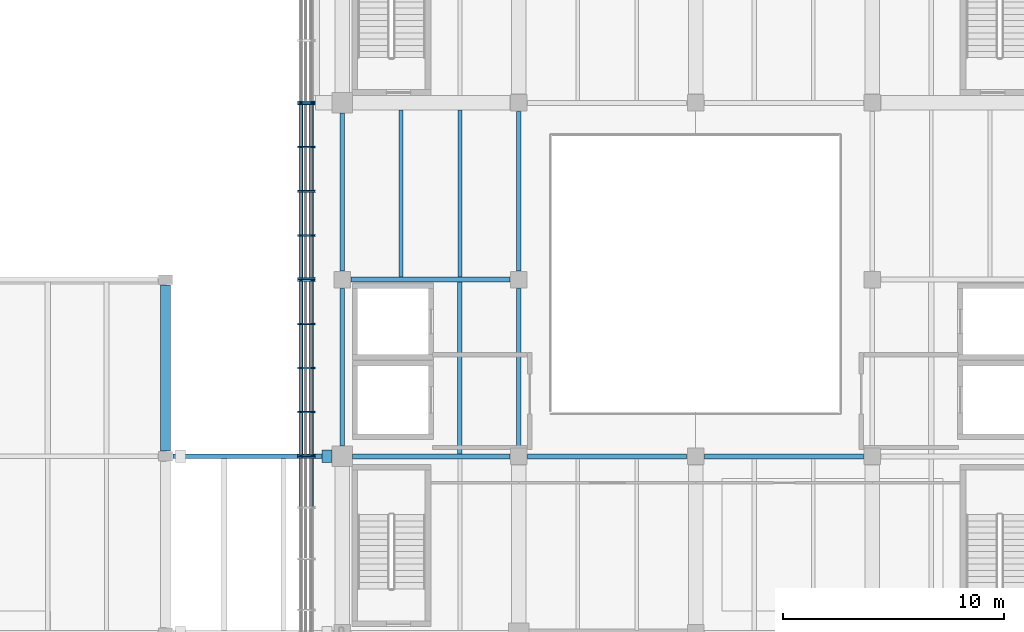
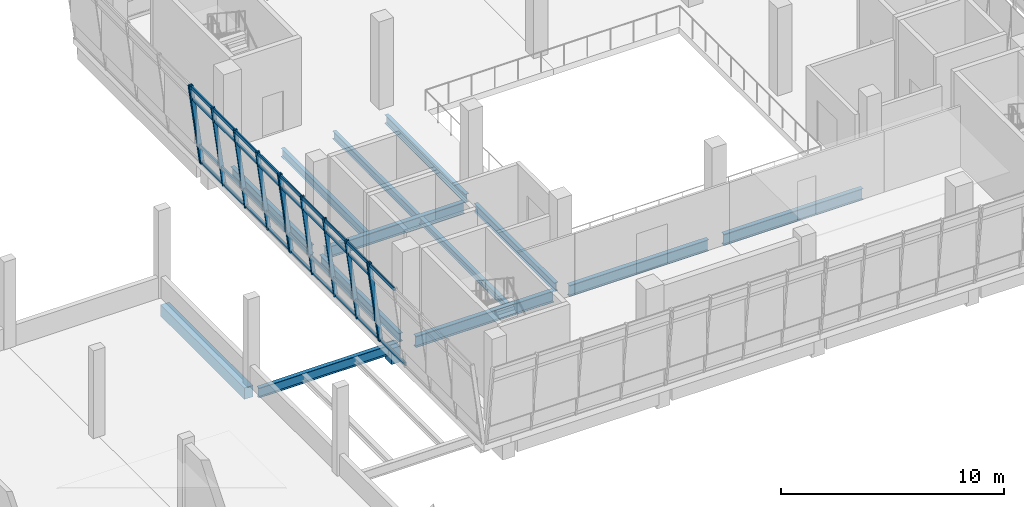
# One storey, part 13 of 52: 46 members, 14 beams, 4 elements without a shape of their own.
"""IFC4 building model written with IfcOpenShell, lengths in metres."""

from ifc_helpers import new_model, si_unit, direction, frame, origin, origin_2d, place, context, subcontext, project, spatial, rectangle, i_section, extrude, material, material_profile, profile_set, type_object, element, aggregate, save


model = new_model("IFC4")

# Units and contexts
model_context = context("Model", 3, precision=1e-05, world=origin(), true_north=direction((0.0, 1.0)))
body_context = subcontext(model_context, "Body", "Model", "MODEL_VIEW")
ifc_project = project(units=[si_unit("LENGTHUNIT", "METRE"), si_unit("AREAUNIT", "SQUARE_METRE"), si_unit("VOLUMEUNIT", "CUBIC_METRE"), si_unit("PLANEANGLEUNIT", "RADIAN"), si_unit("MASSUNIT", "GRAM", prefix="KILO")], contexts=[model_context])

# Site, building, storey
site_placement = place(None, origin())
site = spatial("IfcSite", under=ifc_project, at=site_placement, CompositionType="ELEMENT")
building_placement = place(site_placement, origin())
building = spatial("IfcBuilding", under=site, at=building_placement, Name="Pecanmere Concourse Central Library", CompositionType="ELEMENT")
storey_placement = place(building_placement, frame((0.0, 0.0, 10.5)))
storey = spatial("IfcBuildingStorey", under=building, at=storey_placement, Name="L03", CompositionType="ELEMENT", Elevation=10.5)

# Curtain wall, member
ifc_material_1 = material(Name="Anodized bronze aluminium alloy 6063-T6", Category="aluminium")
curtain_wall_type = type_object("IfcCurtainWallType", Name="CW_LEAN_BANDED", PredefinedType="USERDEFINED", material=ifc_material_1)
curtain_wall_1_placement = place(storey_placement, origin())
curtain_wall_1 = element("IfcCurtainWall", 1, at=curtain_wall_1_placement, inside=storey, type_object=curtain_wall_type, Name="Unitised Curtain Wall CW-01 L03-034", ObjectType="UNITISED CURTAIN WALL", PredefinedType="USERDEFINED")
ifc_material_2 = material(Name="Anodized bronze aluminium alloy 6063-T6", Category="aluminium")
ifc_material_profile_1 = material_profile(ifc_material_2, rectangle(XDim=0.074951171875, YDim=0.199951171875, at=origin_2d()), Name="AL 75x200")
ifc_profile_set_1 = profile_set([ifc_material_profile_1], Name="Anodized bronze aluminium alloy 6063-T6")
member_type_1 = type_object("IfcMemberType", Name="CWM_200x75", PredefinedType="MULLION", material=ifc_profile_set_1)
member_1_placement = place(storey_placement, frame((70.678955078125, 114.04248046875, 0.0), z_axis=(-0.132234484848, 0.0, 0.991218462811), x_axis=(0.0, -1.0, 0.0)))
member_1 = element("IfcMember", 2, at=member_1_placement, type_object=member_type_1, Name="CW-01 Mullion 5", PredefinedType="MULLION", context=body_context, shape_type="SweptSolid", body=[
    extrude(rectangle(XDim=0.074951171875, YDim=0.199951171875, at=origin_2d()), origin(), (0.0, 0.0, 1.0), 4.519775390625),
])
aggregate(curtain_wall_1, [member_1])

# Curtain wall, members
curtain_wall_2_placement = place(storey_placement, origin())
curtain_wall_2 = element("IfcCurtainWall", 3, at=curtain_wall_2_placement, inside=storey, type_object=curtain_wall_type, Name="Unitised Curtain Wall CW-01 L03-035", ObjectType="UNITISED CURTAIN WALL", PredefinedType="USERDEFINED")
member_2_placement = place(storey_placement, frame((70.678955078125, 113.95751953125, 0.0), z_axis=(-0.132234484848, 0.0, 0.991218462811), x_axis=(0.0, -1.0, 0.0)))
member_2 = element("IfcMember", 4, at=member_2_placement, type_object=member_type_1, Name="CW-01 Mullion 1", PredefinedType="MULLION", context=body_context, shape_type="SweptSolid", body=[
    extrude(rectangle(XDim=0.074951171875, YDim=0.199951171875, at=origin_2d()), origin(), (0.0, 0.0, 1.0), 4.519775390625),
])
member_3_placement = place(storey_placement, frame((70.678955078125, 111.99755859375, 0.0), z_axis=(-0.132234484848, 0.0, 0.991218462811), x_axis=(0.0, -1.0, 0.0)))
member_3 = element("IfcMember", 5, at=member_3_placement, type_object=member_type_1, Name="CW-01 Mullion 2", PredefinedType="MULLION", context=body_context, shape_type="SweptSolid", body=[
    extrude(rectangle(XDim=0.074951171875, YDim=0.199951171875, at=origin_2d()), origin(), (0.0, 0.0, 1.0), 4.519775390625),
])
member_4_placement = place(storey_placement, frame((70.678955078125, 110.0, 0.0), z_axis=(-0.132234484848, 0.0, 0.991218462811), x_axis=(0.0, -1.0, 0.0)))
member_4 = element("IfcMember", 6, at=member_4_placement, type_object=member_type_1, Name="CW-01 Mullion 3", PredefinedType="MULLION", context=body_context, shape_type="SweptSolid", body=[
    extrude(rectangle(XDim=0.074951171875, YDim=0.199951171875, at=origin_2d()), origin(), (0.0, 0.0, 1.0), 4.519775390625),
])
member_5_placement = place(storey_placement, frame((70.678955078125, 108.00244140625, 0.0), z_axis=(-0.132234484848, 0.0, 0.991218462811), x_axis=(0.0, -1.0, 0.0)))
member_5 = element("IfcMember", 7, at=member_5_placement, type_object=member_type_1, Name="CW-01 Mullion 4", PredefinedType="MULLION", context=body_context, shape_type="SweptSolid", body=[
    extrude(rectangle(XDim=0.074951171875, YDim=0.199951171875, at=origin_2d()), origin(), (0.0, 0.0, 1.0), 4.519775390625),
])
member_6_placement = place(storey_placement, frame((70.678955078125, 106.04248046875, 0.0), z_axis=(-0.132234484848, 0.0, 0.991218462811), x_axis=(0.0, -1.0, 0.0)))
member_6 = element("IfcMember", 8, at=member_6_placement, type_object=member_type_1, Name="CW-01 Mullion 5", PredefinedType="MULLION", context=body_context, shape_type="SweptSolid", body=[
    extrude(rectangle(XDim=0.074951171875, YDim=0.199951171875, at=origin_2d()), origin(), (0.0, 0.0, 1.0), 4.519775390625),
])

curtain_wall_3_placement = place(storey_placement, origin())
curtain_wall_3 = element("IfcCurtainWall", 9, at=curtain_wall_3_placement, inside=storey, type_object=curtain_wall_type, Name="Unitised Curtain Wall CW-01 L03-036", ObjectType="UNITISED CURTAIN WALL", PredefinedType="USERDEFINED")
member_7_placement = place(storey_placement, frame((70.678955078125, 105.95751953125, 0.0), z_axis=(-0.132234484848, 0.0, 0.991218462811), x_axis=(0.0, -1.0, 0.0)))
member_7 = element("IfcMember", 10, at=member_7_placement, type_object=member_type_1, Name="CW-01 Mullion 1", PredefinedType="MULLION", context=body_context, shape_type="SweptSolid", body=[
    extrude(rectangle(XDim=0.074951171875, YDim=0.199951171875, at=origin_2d()), origin(), (0.0, 0.0, 1.0), 4.519775390625),
])
member_8_placement = place(storey_placement, frame((70.678955078125, 103.99755859375, 0.0), z_axis=(-0.132234484848, 0.0, 0.991218462811), x_axis=(0.0, -1.0, 0.0)))
member_8 = element("IfcMember", 11, at=member_8_placement, type_object=member_type_1, Name="CW-01 Mullion 2", PredefinedType="MULLION", context=body_context, shape_type="SweptSolid", body=[
    extrude(rectangle(XDim=0.074951171875, YDim=0.199951171875, at=origin_2d()), origin(), (0.0, 0.0, 1.0), 4.519775390625),
])
member_9_placement = place(storey_placement, frame((70.678955078125, 102.0, 0.0), z_axis=(-0.132234484848, 0.0, 0.991218462811), x_axis=(0.0, -1.0, 0.0)))
member_9 = element("IfcMember", 12, at=member_9_placement, type_object=member_type_1, Name="CW-01 Mullion 3", PredefinedType="MULLION", context=body_context, shape_type="SweptSolid", body=[
    extrude(rectangle(XDim=0.074951171875, YDim=0.199951171875, at=origin_2d()), origin(), (0.0, 0.0, 1.0), 4.519775390625),
])
member_10_placement = place(storey_placement, frame((70.678955078125, 100.00244140625, 0.0), z_axis=(-0.132234484848, 0.0, 0.991218462811), x_axis=(0.0, -1.0, 0.0)))
member_10 = element("IfcMember", 13, at=member_10_placement, type_object=member_type_1, Name="CW-01 Mullion 4", PredefinedType="MULLION", context=body_context, shape_type="SweptSolid", body=[
    extrude(rectangle(XDim=0.074951171875, YDim=0.199951171875, at=origin_2d()), origin(), (0.0, 0.0, 1.0), 4.519775390625),
])
member_11_placement = place(storey_placement, frame((70.678955078125, 98.04248046875, 0.0), z_axis=(-0.132234484848, 0.0, 0.991218462811), x_axis=(0.0, -1.0, 0.0)))
member_11 = element("IfcMember", 14, at=member_11_placement, type_object=member_type_1, Name="CW-01 Mullion 5", PredefinedType="MULLION", context=body_context, shape_type="SweptSolid", body=[
    extrude(rectangle(XDim=0.074951171875, YDim=0.199951171875, at=origin_2d()), origin(), (0.0, 0.0, 1.0), 4.519775390625),
])

# Curtain wall, member
curtain_wall_4_placement = place(storey_placement, origin())
curtain_wall_4 = element("IfcCurtainWall", 15, at=curtain_wall_4_placement, inside=storey, type_object=curtain_wall_type, Name="Unitised Curtain Wall CW-01 L03-037", ObjectType="UNITISED CURTAIN WALL", PredefinedType="USERDEFINED")
member_12_placement = place(storey_placement, frame((70.678955078125, 97.95751953125, 0.0), z_axis=(-0.132234484848, 0.0, 0.991218462811), x_axis=(0.0, -1.0, 0.0)))
member_12 = element("IfcMember", 16, at=member_12_placement, type_object=member_type_1, Name="CW-01 Mullion 1", PredefinedType="MULLION", context=body_context, shape_type="SweptSolid", body=[
    extrude(rectangle(XDim=0.074951171875, YDim=0.199951171875, at=origin_2d()), origin(), (0.0, 0.0, 1.0), 4.519775390625),
])

# Member
ifc_material_3 = material(Name="Anodized bronze aluminium alloy 6063-T6", Category="aluminium")
ifc_material_profile_2 = material_profile(ifc_material_3, rectangle(XDim=0.06494140625, YDim=0.179931640625, at=origin_2d()), Name="AL 65x180")
ifc_profile_set_2 = profile_set([ifc_material_profile_2], Name="Anodized bronze aluminium alloy 6063-T6")
member_type_2 = type_object("IfcMemberType", Name="CWT_180x65", PredefinedType="USERDEFINED", material=ifc_profile_set_2)
member_13_placement = place(storey_placement, frame((70.6669921875, 113.919921875, 0.090087890625), z_axis=(0.0, -1.0, 0.0), x_axis=(1.0, 0.0, 0.0)))
member_13 = element("IfcMember", 17, at=member_13_placement, type_object=member_type_2, Name="CW-01 Transom 1.1", ObjectType="TRANSOM", PredefinedType="USERDEFINED", context=body_context, shape_type="SweptSolid", body=[
    extrude(rectangle(XDim=0.06494140625, YDim=0.179931640625, at=origin_2d()), origin(), (0.0, 0.0, 1.0), 1.885009765625),
])

member_14_placement = place(storey_placement, frame((70.538818359375, 113.919921875, 1.050048828125), z_axis=(0.0, -1.0, 0.0), x_axis=(1.0, 0.0, 0.0)))
member_14 = element("IfcMember", 18, at=member_14_placement, type_object=member_type_2, Name="CW-01 Transom 1.2", ObjectType="TRANSOM", PredefinedType="USERDEFINED", context=body_context, shape_type="SweptSolid", body=[
    extrude(rectangle(XDim=0.06494140625, YDim=0.179931640625, at=origin_2d()), origin(), (0.0, 0.0, 1.0), 1.885009765625),
])

member_15_placement = place(storey_placement, frame((70.181396484375, 113.919921875, 3.72998046875), z_axis=(0.0, -1.0, 0.0), x_axis=(1.0, 0.0, 0.0)))
member_15 = element("IfcMember", 19, at=member_15_placement, type_object=member_type_2, Name="CW-01 Transom 1.3", ObjectType="TRANSOM", PredefinedType="USERDEFINED", context=body_context, shape_type="SweptSolid", body=[
    extrude(rectangle(XDim=0.06494140625, YDim=0.179931640625, at=origin_2d()), origin(), (0.0, 0.0, 1.0), 1.885009765625),
])

member_16_placement = place(storey_placement, frame((70.09326171875, 113.919921875, 4.389892578125), z_axis=(0.0, -1.0, 0.0), x_axis=(1.0, 0.0, 0.0)))
member_16 = element("IfcMember", 20, at=member_16_placement, type_object=member_type_2, Name="CW-01 Transom 1.4", ObjectType="TRANSOM", PredefinedType="USERDEFINED", context=body_context, shape_type="SweptSolid", body=[
    extrude(rectangle(XDim=0.06494140625, YDim=0.179931640625, at=origin_2d()), origin(), (0.0, 0.0, 1.0), 1.885009765625),
])

member_17_placement = place(storey_placement, frame((70.6669921875, 111.9599609375, 0.090087890625), z_axis=(0.0, -1.0, 0.0), x_axis=(1.0, 0.0, 0.0)))
member_17 = element("IfcMember", 21, at=member_17_placement, type_object=member_type_2, Name="CW-01 Transom 2.1", ObjectType="TRANSOM", PredefinedType="USERDEFINED", context=body_context, shape_type="SweptSolid", body=[
    extrude(rectangle(XDim=0.06494140625, YDim=0.179931640625, at=origin_2d()), origin(), (0.0, 0.0, 1.0), 1.92236328125),
])

member_18_placement = place(storey_placement, frame((70.538818359375, 111.9599609375, 1.050048828125), z_axis=(0.0, -1.0, 0.0), x_axis=(1.0, 0.0, 0.0)))
member_18 = element("IfcMember", 22, at=member_18_placement, type_object=member_type_2, Name="CW-01 Transom 2.2", ObjectType="TRANSOM", PredefinedType="USERDEFINED", context=body_context, shape_type="SweptSolid", body=[
    extrude(rectangle(XDim=0.06494140625, YDim=0.179931640625, at=origin_2d()), origin(), (0.0, 0.0, 1.0), 1.92236328125),
])

member_19_placement = place(storey_placement, frame((70.181396484375, 111.9599609375, 3.72998046875), z_axis=(0.0, -1.0, 0.0), x_axis=(1.0, 0.0, 0.0)))
member_19 = element("IfcMember", 23, at=member_19_placement, type_object=member_type_2, Name="CW-01 Transom 2.3", ObjectType="TRANSOM", PredefinedType="USERDEFINED", context=body_context, shape_type="SweptSolid", body=[
    extrude(rectangle(XDim=0.06494140625, YDim=0.179931640625, at=origin_2d()), origin(), (0.0, 0.0, 1.0), 1.92236328125),
])

member_20_placement = place(storey_placement, frame((70.09326171875, 111.9599609375, 4.389892578125), z_axis=(0.0, -1.0, 0.0), x_axis=(1.0, 0.0, 0.0)))
member_20 = element("IfcMember", 24, at=member_20_placement, type_object=member_type_2, Name="CW-01 Transom 2.4", ObjectType="TRANSOM", PredefinedType="USERDEFINED", context=body_context, shape_type="SweptSolid", body=[
    extrude(rectangle(XDim=0.06494140625, YDim=0.179931640625, at=origin_2d()), origin(), (0.0, 0.0, 1.0), 1.92236328125),
])

member_21_placement = place(storey_placement, frame((70.6669921875, 109.96240234375, 0.090087890625), z_axis=(0.0, -1.0, 0.0), x_axis=(1.0, 0.0, 0.0)))
member_21 = element("IfcMember", 25, at=member_21_placement, type_object=member_type_2, Name="CW-01 Transom 3.1", ObjectType="TRANSOM", PredefinedType="USERDEFINED", context=body_context, shape_type="SweptSolid", body=[
    extrude(rectangle(XDim=0.06494140625, YDim=0.179931640625, at=origin_2d()), origin(), (0.0, 0.0, 1.0), 1.92236328125),
])

member_22_placement = place(storey_placement, frame((70.538818359375, 109.96240234375, 1.050048828125), z_axis=(0.0, -1.0, 0.0), x_axis=(1.0, 0.0, 0.0)))
member_22 = element("IfcMember", 26, at=member_22_placement, type_object=member_type_2, Name="CW-01 Transom 3.2", ObjectType="TRANSOM", PredefinedType="USERDEFINED", context=body_context, shape_type="SweptSolid", body=[
    extrude(rectangle(XDim=0.06494140625, YDim=0.179931640625, at=origin_2d()), origin(), (0.0, 0.0, 1.0), 1.92236328125),
])

member_23_placement = place(storey_placement, frame((70.181396484375, 109.96240234375, 3.72998046875), z_axis=(0.0, -1.0, 0.0), x_axis=(1.0, 0.0, 0.0)))
member_23 = element("IfcMember", 27, at=member_23_placement, type_object=member_type_2, Name="CW-01 Transom 3.3", ObjectType="TRANSOM", PredefinedType="USERDEFINED", context=body_context, shape_type="SweptSolid", body=[
    extrude(rectangle(XDim=0.06494140625, YDim=0.179931640625, at=origin_2d()), origin(), (0.0, 0.0, 1.0), 1.92236328125),
])

member_24_placement = place(storey_placement, frame((70.09326171875, 109.96240234375, 4.389892578125), z_axis=(0.0, -1.0, 0.0), x_axis=(1.0, 0.0, 0.0)))
member_24 = element("IfcMember", 28, at=member_24_placement, type_object=member_type_2, Name="CW-01 Transom 3.4", ObjectType="TRANSOM", PredefinedType="USERDEFINED", context=body_context, shape_type="SweptSolid", body=[
    extrude(rectangle(XDim=0.06494140625, YDim=0.179931640625, at=origin_2d()), origin(), (0.0, 0.0, 1.0), 1.92236328125),
])

member_25_placement = place(storey_placement, frame((70.6669921875, 107.965087890625, 0.090087890625), z_axis=(0.0, -1.0, 0.0), x_axis=(1.0, 0.0, 0.0)))
member_25 = element("IfcMember", 29, at=member_25_placement, type_object=member_type_2, Name="CW-01 Transom 4.1", ObjectType="TRANSOM", PredefinedType="USERDEFINED", context=body_context, shape_type="SweptSolid", body=[
    extrude(rectangle(XDim=0.06494140625, YDim=0.179931640625, at=origin_2d()), origin(), (0.0, 0.0, 1.0), 1.885009765625),
])

member_26_placement = place(storey_placement, frame((70.538818359375, 107.965087890625, 1.050048828125), z_axis=(0.0, -1.0, 0.0), x_axis=(1.0, 0.0, 0.0)))
member_26 = element("IfcMember", 30, at=member_26_placement, type_object=member_type_2, Name="CW-01 Transom 4.2", ObjectType="TRANSOM", PredefinedType="USERDEFINED", context=body_context, shape_type="SweptSolid", body=[
    extrude(rectangle(XDim=0.06494140625, YDim=0.179931640625, at=origin_2d()), origin(), (0.0, 0.0, 1.0), 1.885009765625),
])

member_27_placement = place(storey_placement, frame((70.181396484375, 107.965087890625, 3.72998046875), z_axis=(0.0, -1.0, 0.0), x_axis=(1.0, 0.0, 0.0)))
member_27 = element("IfcMember", 31, at=member_27_placement, type_object=member_type_2, Name="CW-01 Transom 4.3", ObjectType="TRANSOM", PredefinedType="USERDEFINED", context=body_context, shape_type="SweptSolid", body=[
    extrude(rectangle(XDim=0.06494140625, YDim=0.179931640625, at=origin_2d()), origin(), (0.0, 0.0, 1.0), 1.885009765625),
])

member_28_placement = place(storey_placement, frame((70.09326171875, 107.965087890625, 4.389892578125), z_axis=(0.0, -1.0, 0.0), x_axis=(1.0, 0.0, 0.0)))
member_28 = element("IfcMember", 32, at=member_28_placement, type_object=member_type_2, Name="CW-01 Transom 4.4", ObjectType="TRANSOM", PredefinedType="USERDEFINED", context=body_context, shape_type="SweptSolid", body=[
    extrude(rectangle(XDim=0.06494140625, YDim=0.179931640625, at=origin_2d()), origin(), (0.0, 0.0, 1.0), 1.885009765625),
])

aggregate(curtain_wall_2, [member_2, member_3, member_4, member_5, member_6, member_13, member_14, member_15, member_16, member_17, member_18, member_19, member_20, member_21, member_22, member_23, member_24, member_25, member_26, member_27, member_28])

member_29_placement = place(storey_placement, frame((70.6669921875, 105.919921875, 0.090087890625), z_axis=(0.0, -1.0, 0.0), x_axis=(1.0, 0.0, 0.0)))
member_29 = element("IfcMember", 33, at=member_29_placement, type_object=member_type_2, Name="CW-01 Transom 1.1", ObjectType="TRANSOM", PredefinedType="USERDEFINED", context=body_context, shape_type="SweptSolid", body=[
    extrude(rectangle(XDim=0.06494140625, YDim=0.179931640625, at=origin_2d()), origin(), (0.0, 0.0, 1.0), 1.885009765625),
])

member_30_placement = place(storey_placement, frame((70.538818359375, 105.919921875, 1.050048828125), z_axis=(0.0, -1.0, 0.0), x_axis=(1.0, 0.0, 0.0)))
member_30 = element("IfcMember", 34, at=member_30_placement, type_object=member_type_2, Name="CW-01 Transom 1.2", ObjectType="TRANSOM", PredefinedType="USERDEFINED", context=body_context, shape_type="SweptSolid", body=[
    extrude(rectangle(XDim=0.06494140625, YDim=0.179931640625, at=origin_2d()), origin(), (0.0, 0.0, 1.0), 1.885009765625),
])

member_31_placement = place(storey_placement, frame((70.181396484375, 105.919921875, 3.72998046875), z_axis=(0.0, -1.0, 0.0), x_axis=(1.0, 0.0, 0.0)))
member_31 = element("IfcMember", 35, at=member_31_placement, type_object=member_type_2, Name="CW-01 Transom 1.3", ObjectType="TRANSOM", PredefinedType="USERDEFINED", context=body_context, shape_type="SweptSolid", body=[
    extrude(rectangle(XDim=0.06494140625, YDim=0.179931640625, at=origin_2d()), origin(), (0.0, 0.0, 1.0), 1.885009765625),
])

member_32_placement = place(storey_placement, frame((70.09326171875, 105.919921875, 4.389892578125), z_axis=(0.0, -1.0, 0.0), x_axis=(1.0, 0.0, 0.0)))
member_32 = element("IfcMember", 36, at=member_32_placement, type_object=member_type_2, Name="CW-01 Transom 1.4", ObjectType="TRANSOM", PredefinedType="USERDEFINED", context=body_context, shape_type="SweptSolid", body=[
    extrude(rectangle(XDim=0.06494140625, YDim=0.179931640625, at=origin_2d()), origin(), (0.0, 0.0, 1.0), 1.885009765625),
])

member_33_placement = place(storey_placement, frame((70.6669921875, 103.9599609375, 0.090087890625), z_axis=(0.0, -1.0, 0.0), x_axis=(1.0, 0.0, 0.0)))
member_33 = element("IfcMember", 37, at=member_33_placement, type_object=member_type_2, Name="CW-01 Transom 2.1", ObjectType="TRANSOM", PredefinedType="USERDEFINED", context=body_context, shape_type="SweptSolid", body=[
    extrude(rectangle(XDim=0.06494140625, YDim=0.179931640625, at=origin_2d()), origin(), (0.0, 0.0, 1.0), 1.92236328125),
])

member_34_placement = place(storey_placement, frame((70.538818359375, 103.9599609375, 1.050048828125), z_axis=(0.0, -1.0, 0.0), x_axis=(1.0, 0.0, 0.0)))
member_34 = element("IfcMember", 38, at=member_34_placement, type_object=member_type_2, Name="CW-01 Transom 2.2", ObjectType="TRANSOM", PredefinedType="USERDEFINED", context=body_context, shape_type="SweptSolid", body=[
    extrude(rectangle(XDim=0.06494140625, YDim=0.179931640625, at=origin_2d()), origin(), (0.0, 0.0, 1.0), 1.92236328125),
])

member_35_placement = place(storey_placement, frame((70.181396484375, 103.9599609375, 3.72998046875), z_axis=(0.0, -1.0, 0.0), x_axis=(1.0, 0.0, 0.0)))
member_35 = element("IfcMember", 39, at=member_35_placement, type_object=member_type_2, Name="CW-01 Transom 2.3", ObjectType="TRANSOM", PredefinedType="USERDEFINED", context=body_context, shape_type="SweptSolid", body=[
    extrude(rectangle(XDim=0.06494140625, YDim=0.179931640625, at=origin_2d()), origin(), (0.0, 0.0, 1.0), 1.92236328125),
])

member_36_placement = place(storey_placement, frame((70.09326171875, 103.9599609375, 4.389892578125), z_axis=(0.0, -1.0, 0.0), x_axis=(1.0, 0.0, 0.0)))
member_36 = element("IfcMember", 40, at=member_36_placement, type_object=member_type_2, Name="CW-01 Transom 2.4", ObjectType="TRANSOM", PredefinedType="USERDEFINED", context=body_context, shape_type="SweptSolid", body=[
    extrude(rectangle(XDim=0.06494140625, YDim=0.179931640625, at=origin_2d()), origin(), (0.0, 0.0, 1.0), 1.92236328125),
])

member_37_placement = place(storey_placement, frame((70.6669921875, 101.96240234375, 0.090087890625), z_axis=(0.0, -1.0, 0.0), x_axis=(1.0, 0.0, 0.0)))
member_37 = element("IfcMember", 41, at=member_37_placement, type_object=member_type_2, Name="CW-01 Transom 3.1", ObjectType="TRANSOM", PredefinedType="USERDEFINED", context=body_context, shape_type="SweptSolid", body=[
    extrude(rectangle(XDim=0.06494140625, YDim=0.179931640625, at=origin_2d()), origin(), (0.0, 0.0, 1.0), 1.92236328125),
])

member_38_placement = place(storey_placement, frame((70.538818359375, 101.96240234375, 1.050048828125), z_axis=(0.0, -1.0, 0.0), x_axis=(1.0, 0.0, 0.0)))
member_38 = element("IfcMember", 42, at=member_38_placement, type_object=member_type_2, Name="CW-01 Transom 3.2", ObjectType="TRANSOM", PredefinedType="USERDEFINED", context=body_context, shape_type="SweptSolid", body=[
    extrude(rectangle(XDim=0.06494140625, YDim=0.179931640625, at=origin_2d()), origin(), (0.0, 0.0, 1.0), 1.92236328125),
])

member_39_placement = place(storey_placement, frame((70.181396484375, 101.96240234375, 3.72998046875), z_axis=(0.0, -1.0, 0.0), x_axis=(1.0, 0.0, 0.0)))
member_39 = element("IfcMember", 43, at=member_39_placement, type_object=member_type_2, Name="CW-01 Transom 3.3", ObjectType="TRANSOM", PredefinedType="USERDEFINED", context=body_context, shape_type="SweptSolid", body=[
    extrude(rectangle(XDim=0.06494140625, YDim=0.179931640625, at=origin_2d()), origin(), (0.0, 0.0, 1.0), 1.92236328125),
])

member_40_placement = place(storey_placement, frame((70.09326171875, 101.96240234375, 4.389892578125), z_axis=(0.0, -1.0, 0.0), x_axis=(1.0, 0.0, 0.0)))
member_40 = element("IfcMember", 44, at=member_40_placement, type_object=member_type_2, Name="CW-01 Transom 3.4", ObjectType="TRANSOM", PredefinedType="USERDEFINED", context=body_context, shape_type="SweptSolid", body=[
    extrude(rectangle(XDim=0.06494140625, YDim=0.179931640625, at=origin_2d()), origin(), (0.0, 0.0, 1.0), 1.92236328125),
])

member_41_placement = place(storey_placement, frame((70.6669921875, 99.965087890625, 0.090087890625), z_axis=(0.0, -1.0, 0.0), x_axis=(1.0, 0.0, 0.0)))
member_41 = element("IfcMember", 45, at=member_41_placement, type_object=member_type_2, Name="CW-01 Transom 4.1", ObjectType="TRANSOM", PredefinedType="USERDEFINED", context=body_context, shape_type="SweptSolid", body=[
    extrude(rectangle(XDim=0.06494140625, YDim=0.179931640625, at=origin_2d()), origin(), (0.0, 0.0, 1.0), 1.885009765625),
])

member_42_placement = place(storey_placement, frame((70.538818359375, 99.965087890625, 1.050048828125), z_axis=(0.0, -1.0, 0.0), x_axis=(1.0, 0.0, 0.0)))
member_42 = element("IfcMember", 46, at=member_42_placement, type_object=member_type_2, Name="CW-01 Transom 4.2", ObjectType="TRANSOM", PredefinedType="USERDEFINED", context=body_context, shape_type="SweptSolid", body=[
    extrude(rectangle(XDim=0.06494140625, YDim=0.179931640625, at=origin_2d()), origin(), (0.0, 0.0, 1.0), 1.885009765625),
])

member_43_placement = place(storey_placement, frame((70.181396484375, 99.965087890625, 3.72998046875), z_axis=(0.0, -1.0, 0.0), x_axis=(1.0, 0.0, 0.0)))
member_43 = element("IfcMember", 47, at=member_43_placement, type_object=member_type_2, Name="CW-01 Transom 4.3", ObjectType="TRANSOM", PredefinedType="USERDEFINED", context=body_context, shape_type="SweptSolid", body=[
    extrude(rectangle(XDim=0.06494140625, YDim=0.179931640625, at=origin_2d()), origin(), (0.0, 0.0, 1.0), 1.885009765625),
])

member_44_placement = place(storey_placement, frame((70.09326171875, 99.965087890625, 4.389892578125), z_axis=(0.0, -1.0, 0.0), x_axis=(1.0, 0.0, 0.0)))
member_44 = element("IfcMember", 48, at=member_44_placement, type_object=member_type_2, Name="CW-01 Transom 4.4", ObjectType="TRANSOM", PredefinedType="USERDEFINED", context=body_context, shape_type="SweptSolid", body=[
    extrude(rectangle(XDim=0.06494140625, YDim=0.179931640625, at=origin_2d()), origin(), (0.0, 0.0, 1.0), 1.885009765625),
])

aggregate(curtain_wall_3, [member_7, member_8, member_9, member_10, member_11, member_29, member_30, member_31, member_32, member_33, member_34, member_35, member_36, member_37, member_38, member_39, member_40, member_41, member_42, member_43, member_44])

member_45_placement = place(storey_placement, frame((70.6669921875, 97.919921875, 0.090087890625), z_axis=(0.0, -1.0, 0.0), x_axis=(1.0, 0.0, 0.0)))
member_45 = element("IfcMember", 49, at=member_45_placement, type_object=member_type_2, Name="CW-01 Transom 1.1", ObjectType="TRANSOM", PredefinedType="USERDEFINED", context=body_context, shape_type="SweptSolid", body=[
    extrude(rectangle(XDim=0.06494140625, YDim=0.179931640625, at=origin_2d()), origin(), (0.0, 0.0, 1.0), 2.20654296875),
])

member_46_placement = place(storey_placement, frame((70.09326171875, 97.919921875, 4.389892578125), z_axis=(0.0, -1.0, 0.0), x_axis=(1.0, 0.0, 0.0)))
member_46 = element("IfcMember", 50, at=member_46_placement, type_object=member_type_2, Name="CW-01 Transom 1.4", ObjectType="TRANSOM", PredefinedType="USERDEFINED", context=body_context, shape_type="SweptSolid", body=[
    extrude(rectangle(XDim=0.06494140625, YDim=0.179931640625, at=origin_2d()), origin(), (0.0, 0.0, 1.0), 2.20654296875),
])

aggregate(curtain_wall_4, [member_12, member_45, member_46])

# Beams
ifc_material_4 = material(Name="Concrete C40/50", Category="concrete")
ifc_material_profile_3 = material_profile(ifc_material_4, rectangle(XDim=0.43994140625, YDim=0.6201171875, at=origin_2d()), Name="RC 440x620")
ifc_profile_set_3 = profile_set([ifc_material_profile_3], Name="Concrete C40/50")
beam_type_1 = type_object("IfcBeamType", Name="GRD_440x620", PredefinedType="USERDEFINED", material=ifc_profile_set_3)
beam_1_placement = place(storey_placement, frame((64.0, 98.239990234375, -0.64990234375), z_axis=(0.0, 1.0, 0.0), x_axis=(-1.0, 0.0, 0.0)))
element("IfcBeam", 51, at=beam_1_placement, inside=storey, type_object=beam_type_1, Name="Primary Girder Y L03-1723", ObjectType="GIRDER", PredefinedType="USERDEFINED", context=body_context, shape_type="SweptSolid", body=[
    extrude(rectangle(XDim=0.43994140625, YDim=0.6201171875, at=origin_2d()), origin(), (0.0, 0.0, 1.0), 7.52001953125),
])
ifc_material_5 = material(Name="Concrete C40/50", Category="concrete")
ifc_material_profile_4 = material_profile(ifc_material_5, rectangle(XDim=0.580078125, YDim=0.860107421875, at=origin_2d()), Name="RC 580x860")
ifc_profile_set_4 = profile_set([ifc_material_profile_4], Name="Concrete C40/50")
beam_type_2 = type_object("IfcBeamType", Name="GRD_580x860", PredefinedType="USERDEFINED", material=ifc_profile_set_4)
beam_2_placement = place(storey_placement, frame((71.5400390625, 98.0, -0.860107421875), z_axis=(-1.0, 0.0, 0.0), x_axis=(0.0, -1.0, 0.0)))
element("IfcBeam", 52, at=beam_2_placement, inside=storey, type_object=beam_type_2, Name="Bridge Bearing Corbel Seat 04", ObjectType="GIRDER", PredefinedType="USERDEFINED", context=body_context, shape_type="SweptSolid", body=[
    extrude(rectangle(XDim=0.580078125, YDim=0.860107421875, at=origin_2d()), origin(), (0.0, 0.0, 1.0), 0.4599609375),
])
ifc_material_6 = material(Name="Structural steel ASTM A992 Grade 50", Category="steel")
ifc_material_profile_5 = material_profile(ifc_material_6, i_section(OverallWidth=0.202880859375, OverallDepth=0.346923828125, WebThickness=0.0078125, FlangeThickness=0.013427734375, at=origin_2d()), Name="W360x64")
ifc_profile_set_5 = profile_set([ifc_material_profile_5], Name="Structural steel ASTM A992 Grade 50")
beam_type_3 = type_object("IfcBeamType", Name="SBM_W360x64", PredefinedType="JOIST", material=ifc_profile_set_5)
beam_3_placement = place(storey_placement, frame((77.333251953125, 98.114990234375, -0.513427734375), z_axis=(0.0, 1.0, 0.0), x_axis=(-1.0, 0.0, 0.0)))
element("IfcBeam", 53, at=beam_3_placement, inside=storey, type_object=beam_type_3, Name="Secondary Floor Joist L03-1946", PredefinedType="JOIST", context=body_context, shape_type="SweptSolid", body=[
    extrude(i_section(OverallWidth=0.202880859375, OverallDepth=0.346923828125, WebThickness=0.0078125, FlangeThickness=0.013427734375, at=origin_2d()), origin(), (0.0, 0.0, 1.0), 7.77001953125),
])
ifc_material_7 = material(Name="Structural steel ASTM A992 Grade 50", Category="steel")
ifc_material_profile_6 = material_profile(ifc_material_7, i_section(OverallWidth=0.180908203125, OverallDepth=0.4169921875, WebThickness=0.010986328125, FlangeThickness=0.018310546875, at=origin_2d()), Name="W410x85")
ifc_profile_set_6 = profile_set([ifc_material_profile_6], Name="Structural steel ASTM A992 Grade 50")
beam_type_4 = type_object("IfcBeamType", Name="SBM_W410x85", PredefinedType="BEAM", material=ifc_profile_set_6)
beam_4_placement = place(storey_placement, frame((77.333251953125, 106.114990234375, -0.548583984375), z_axis=(0.0, 1.0, 0.0), x_axis=(-1.0, 0.0, 0.0)))
element("IfcBeam", 54, at=beam_4_placement, inside=storey, type_object=beam_type_4, Name="Secondary Floor Joist L03-1948", PredefinedType="BEAM", context=body_context, shape_type="SweptSolid", body=[
    extrude(i_section(OverallWidth=0.180908203125, OverallDepth=0.4169921875, WebThickness=0.010986328125, FlangeThickness=0.018310546875, at=origin_2d()), origin(), (0.0, 0.0, 1.0), 7.554931640625),
])
ifc_material_8 = material(Name="Structural steel ASTM A992 Grade 50", Category="steel")
ifc_material_profile_7 = material_profile(ifc_material_8, i_section(OverallWidth=0.194091796875, OverallDepth=0.468994140625, WebThickness=0.0126953125, FlangeThickness=0.0205078125, at=origin_2d()), Name="W460x106")
ifc_profile_set_7 = profile_set([ifc_material_profile_7], Name="Structural steel ASTM A992 Grade 50")
beam_type_5 = type_object("IfcBeamType", Name="SBM_W460x106", PredefinedType="USERDEFINED", material=ifc_profile_set_7)
for number, where, z_axis, x_axis, name in (
    (55, (72.0, 98.4599609375, -0.574462890625), (0.0, 1.0, 0.0), (-1.0, 0.0, 0.0), "Primary Girder Y L03-1729"),
    (56, (72.0, 106.39990234375, -0.574462890625), (0.0, 1.0, 0.0), (-1.0, 0.0, 0.0), "Primary Girder Y L03-1730"),
):
    element("IfcBeam", number, at=place(storey_placement, frame(where, z_axis=z_axis, x_axis=x_axis)), inside=storey, type_object=beam_type_5, Name=name, ObjectType="GIRDER", PredefinedType="USERDEFINED", context=body_context, shape_type="SweptSolid", body=[
        extrude(i_section(OverallWidth=0.194091796875, OverallDepth=0.468994140625, WebThickness=0.0126953125, FlangeThickness=0.0205078125, at=origin_2d()), origin(), (0.0, 0.0, 1.0), 7.14013671875),
    ])
for number, where, z_axis, x_axis, name in (
    (57, (80.0, 98.39990234375, -0.574462890625), (0.0, 1.0, 0.0), (-1.0, 0.0, 0.0), "Primary Girder Y L03-1738"),
    (58, (80.0, 106.39990234375, -0.574462890625), (0.0, 1.0, 0.0), (-1.0, 0.0, 0.0), "Primary Girder Y L03-1739"),
):
    element("IfcBeam", number, at=place(storey_placement, frame(where, z_axis=z_axis, x_axis=x_axis)), inside=storey, type_object=beam_type_5, Name=name, ObjectType="GIRDER", PredefinedType="USERDEFINED", context=body_context, shape_type="SweptSolid", body=[
        extrude(i_section(OverallWidth=0.194091796875, OverallDepth=0.468994140625, WebThickness=0.0126953125, FlangeThickness=0.0205078125, at=origin_2d()), origin(), (0.0, 0.0, 1.0), 7.2001953125),
    ])
ifc_material_9 = material(Name="Structural steel ASTM A992 Grade 50", Category="steel")
ifc_material_profile_8 = material_profile(ifc_material_9, i_section(OverallWidth=0.18994140625, OverallDepth=0.45703125, WebThickness=0.009033203125, FlangeThickness=0.014404296875, at=origin_2d()), Name="W460x74")
ifc_profile_set_8 = profile_set([ifc_material_profile_8], Name="Structural steel ASTM A992 Grade 50")
beam_type_6 = type_object("IfcBeamType", Name="SBM_W460x74", PredefinedType="BEAM", material=ifc_profile_set_8)
beam_5_placement = place(storey_placement, frame((74.666748046875, 106.114990234375, -0.568603515625), z_axis=(0.0, 1.0, 0.0), x_axis=(-1.0, 0.0, 0.0)))
element("IfcBeam", 59, at=beam_5_placement, inside=storey, type_object=beam_type_6, Name="Secondary Floor Joist L03-1947", PredefinedType="BEAM", context=body_context, shape_type="SweptSolid", body=[
    extrude(i_section(OverallWidth=0.18994140625, OverallDepth=0.45703125, WebThickness=0.009033203125, FlangeThickness=0.014404296875, at=origin_2d()), origin(), (0.0, 0.0, 1.0), 7.554931640625),
])
ifc_material_10 = material(Name="Structural steel ASTM A992 Grade 50", Category="steel")
ifc_material_profile_9 = material_profile(ifc_material_10, i_section(OverallWidth=0.2109375, OverallDepth=0.5390625, WebThickness=0.01171875, FlangeThickness=0.018798828125, at=origin_2d()), Name="W530x109")
ifc_profile_set_9 = profile_set([ifc_material_profile_9], Name="Structural steel ASTM A992 Grade 50")
beam_type_7 = type_object("IfcBeamType", Name="SBM_W530x109", PredefinedType="USERDEFINED", material=ifc_profile_set_9)
beam_6_placement = place(storey_placement, frame((64.340087890625, 98.0, -0.609619140625), z_axis=(1.0, 0.0, 0.0), x_axis=(0.0, 1.0, 0.0)))
element("IfcBeam", 60, at=beam_6_placement, inside=storey, type_object=beam_type_7, Name="Primary Girder X L03-1627", ObjectType="GIRDER", PredefinedType="USERDEFINED", context=body_context, shape_type="SweptSolid", body=[
    extrude(i_section(OverallWidth=0.2109375, OverallDepth=0.5390625, WebThickness=0.01171875, FlangeThickness=0.018798828125, at=origin_2d()), origin(), (0.0, 0.0, 1.0), 7.199951171875),
])
ifc_material_11 = material(Name="Structural steel ASTM A992 Grade 50", Category="steel")
ifc_material_profile_10 = material_profile(ifc_material_11, i_section(OverallWidth=0.22998046875, OverallDepth=0.616943359375, WebThickness=0.01318359375, FlangeThickness=0.022216796875, at=origin_2d()), Name="W610x140")
ifc_profile_set_10 = profile_set([ifc_material_profile_10], Name="Structural steel ASTM A992 Grade 50")
beam_type_8 = type_object("IfcBeamType", Name="SBM_W610x140", PredefinedType="USERDEFINED", material=ifc_profile_set_10)
beam_7_placement = place(storey_placement, frame((72.4599609375, 98.0, -0.6484375), z_axis=(1.0, 0.0, 0.0), x_axis=(0.0, 1.0, 0.0)))
element("IfcBeam", 61, at=beam_7_placement, inside=storey, type_object=beam_type_8, Name="Primary Girder X L03-1628", ObjectType="GIRDER", PredefinedType="USERDEFINED", context=body_context, shape_type="SweptSolid", body=[
    extrude(i_section(OverallWidth=0.22998046875, OverallDepth=0.616943359375, WebThickness=0.01318359375, FlangeThickness=0.022216796875, at=origin_2d()), origin(), (0.0, 0.0, 1.0), 7.14013671875),
])
for number, where, z_axis, x_axis, name in (
    (62, (80.39990234375, 98.0, -0.6484375), (1.0, 0.0, 0.0), (0.0, 1.0, 0.0), "Primary Girder X L03-1629"),
    (63, (88.39990234375, 98.0, -0.6484375), (1.0, 0.0, 0.0), (0.0, 1.0, 0.0), "Primary Girder X L03-1630"),
    (64, (72.39990234375, 106.0, -0.6484375), (1.0, 0.0, 0.0), (0.0, 1.0, 0.0), "Primary Girder X L03-1643"),
):
    element("IfcBeam", number, at=place(storey_placement, frame(where, z_axis=z_axis, x_axis=x_axis)), inside=storey, type_object=beam_type_8, Name=name, ObjectType="GIRDER", PredefinedType="USERDEFINED", context=body_context, shape_type="SweptSolid", body=[
        extrude(i_section(OverallWidth=0.22998046875, OverallDepth=0.616943359375, WebThickness=0.01318359375, FlangeThickness=0.022216796875, at=origin_2d()), origin(), (0.0, 0.0, 1.0), 7.2001953125),
    ])

save(model, "model.ifc")
